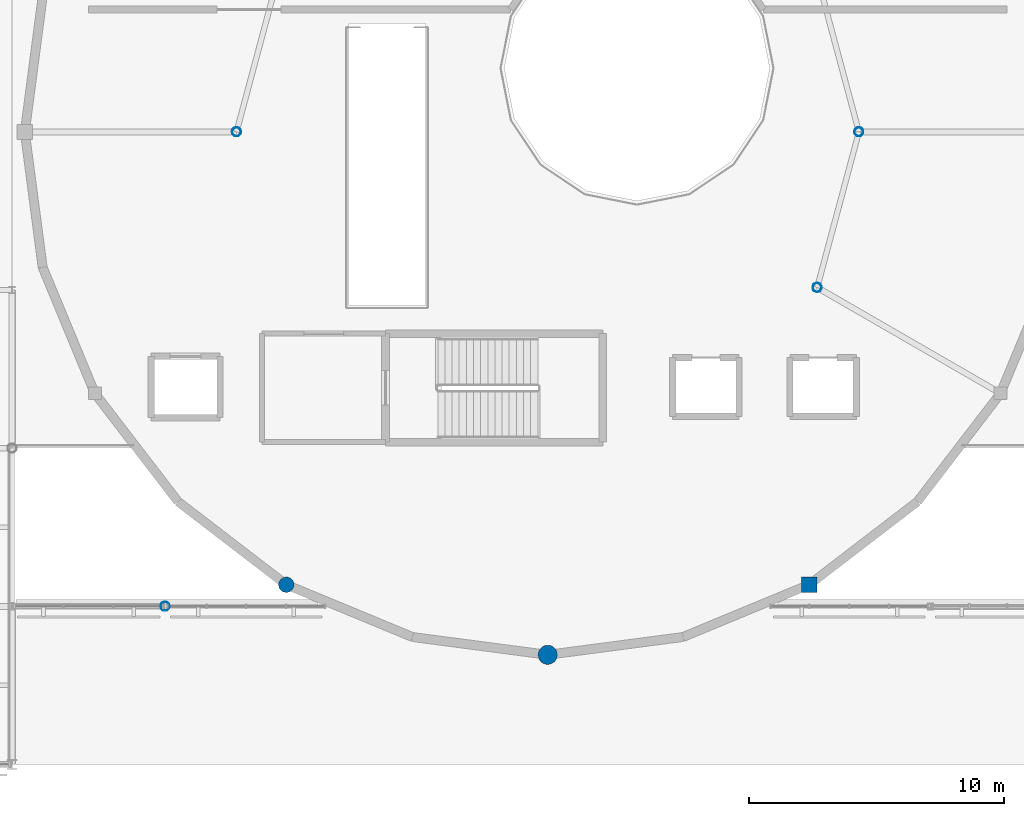
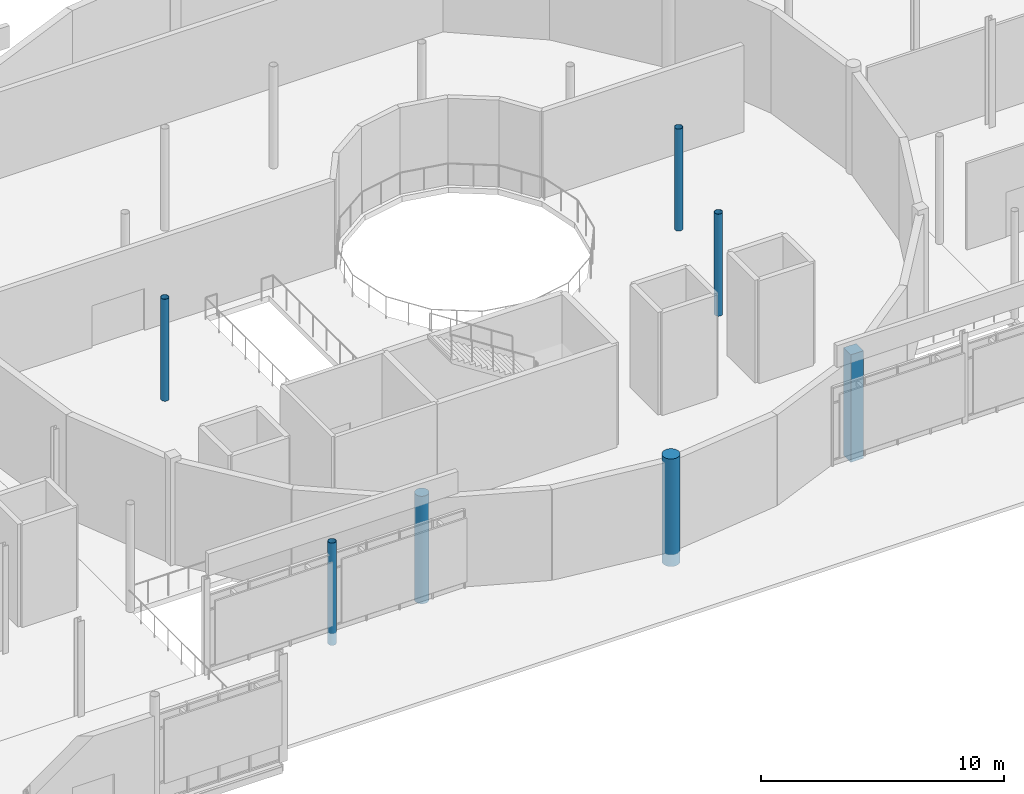
# One storey, part 5 of 105: 7 columns.
"""IFC4 building model written with IfcOpenShell, lengths in metres."""

from ifc_helpers import new_model, si_unit, direction, frame, origin, origin_2d, place, context, subcontext, project, spatial, rectangle, circle, hollow_circle, extrude, material, material_profile, profile_set, type_object, element, save


model = new_model("IFC4")

# Units and contexts
model_context = context("Model", 3, precision=1e-05, world=origin(), true_north=direction((0.0, 1.0)))
body_context = subcontext(model_context, "Body", "Model", "MODEL_VIEW")
ifc_project = project(units=[si_unit("LENGTHUNIT", "METRE"), si_unit("AREAUNIT", "SQUARE_METRE"), si_unit("VOLUMEUNIT", "CUBIC_METRE"), si_unit("PLANEANGLEUNIT", "RADIAN"), si_unit("MASSUNIT", "GRAM", prefix="KILO")], contexts=[model_context])

# Site, building, storey
site_placement = place(None, origin())
site = spatial("IfcSite", under=ifc_project, at=site_placement, CompositionType="ELEMENT")
building_placement = place(site_placement, origin())
building = spatial("IfcBuilding", under=site, at=building_placement, Name="Mirzam Square Science Centre", CompositionType="ELEMENT")
storey_placement = place(building_placement, frame((0.0, 0.0, 5.39990234375)))
storey = spatial("IfcBuildingStorey", under=building, at=storey_placement, Name="L01", CompositionType="ELEMENT", Elevation=5.39990234375)

# Columns
ifc_material_1 = material(Name="Steel S355", Category="steel")
ifc_material_profile_1 = material_profile(ifc_material_1, hollow_circle(Radius=0.177734375, WallThickness=0.012451171875, at=origin_2d()), Name="355.6x12.5CHS")
ifc_profile_set_1 = profile_set([ifc_material_profile_1], Name="Steel S355")
column_type_1 = type_object("IfcColumnType", Name="COL-CHS355", PredefinedType="COLUMN", material=ifc_profile_set_1)
column_1_placement = place(storey_placement, frame((66.0, 43.39990234375, 0.0), z_axis=(0.0, 0.0, 1.0), x_axis=(1.0, 0.0, 0.0)))
element("IfcColumn", 1, at=column_1_placement, inside=storey, type_object=column_type_1, Name="L01 column G12-08", PredefinedType="COLUMN", context=body_context, shape_type="SweptSolid", body=[
    extrude(hollow_circle(Radius=0.177734375, WallThickness=0.012451171875, at=origin_2d()), origin(), (0.0, 0.0, 1.0), 5.135009765625),
])
for number, where, z_axis, x_axis, name in (
    (2, (93.199951171875, 62.0, 0.0), (0.0, 0.0, 1.0), (1.0, 0.0, 0.0), "L01 inner drum column 01"),
    (3, (68.800048828125, 62.0, 0.0), (0.0, 0.0, 1.0), (1.0, 0.0, 0.0), "L01 inner drum column 07"),
    (4, (91.5654296875, 55.89990234375, 0.0), (0.0, 0.0, 1.0), (1.0, 0.0, 0.0), "L01 inner drum column 12"),
):
    element("IfcColumn", number, at=place(storey_placement, frame(where, z_axis=z_axis, x_axis=x_axis)), inside=storey, type_object=column_type_1, Name=name, PredefinedType="COLUMN", context=body_context, shape_type="SweptSolid", body=[
        extrude(hollow_circle(Radius=0.177734375, WallThickness=0.012451171875, at=origin_2d()), origin(), (0.0, 0.0, 1.0), 5.1201171875),
    ])
ifc_material_2 = material(Name="Concrete C45/55", Category="concrete")
ifc_material_profile_2 = material_profile(ifc_material_2, rectangle(XDim=0.60009765625, YDim=0.60009765625, at=origin_2d()), Name="RC600x600")
ifc_profile_set_2 = profile_set([ifc_material_profile_2], Name="Concrete C45/55")
column_type_2 = type_object("IfcColumnType", Name="PIL-RC600", PredefinedType="PILASTER", material=ifc_profile_set_2)
column_2_placement = place(storey_placement, frame((91.25, 44.24658203125, 0.0), z_axis=(0.0, 0.0, 1.0), x_axis=(1.0, 0.0, 0.0)))
element("IfcColumn", 5, at=column_2_placement, inside=storey, type_object=column_type_2, Name="L01 drum pilaster 21", PredefinedType="PILASTER", context=body_context, shape_type="SweptSolid", body=[
    extrude(rectangle(XDim=0.60009765625, YDim=0.60009765625, at=origin_2d()), origin(), (0.0, 0.0, 1.0), 5.400146484375),
])
ifc_material_profile_3 = material_profile(ifc_material_2, circle(Radius=0.300048828125, at=origin_2d()), Name="RCD600")
ifc_profile_set_3 = profile_set([ifc_material_profile_3], Name="Concrete C45/55")
column_type_3 = type_object("IfcColumnType", Name="PIL-RCD600", PredefinedType="PILASTER", material=ifc_profile_set_3)
column_3_placement = place(storey_placement, frame((70.75, 44.24658203125, 0.0), z_axis=(0.0, 0.0, 1.0), x_axis=(1.0, 0.0, 0.0)))
element("IfcColumn", 6, at=column_3_placement, inside=storey, type_object=column_type_3, Name="L01 drum pilaster 17", PredefinedType="PILASTER", context=body_context, shape_type="SweptSolid", body=[
    extrude(circle(Radius=0.300048828125, at=origin_2d()), origin(), (0.0, 0.0, 1.0), 5.400146484375),
])
ifc_material_profile_4 = material_profile(ifc_material_2, circle(Radius=0.375, at=origin_2d()), Name="RCD750")
ifc_profile_set_4 = profile_set([ifc_material_profile_4], Name="Concrete C45/55")
column_type_4 = type_object("IfcColumnType", Name="PIL-RCD750", PredefinedType="PILASTER", material=ifc_profile_set_4)
column_4_placement = place(storey_placement, frame((81.0, 41.5, 0.0), z_axis=(0.0, 0.0, 1.0), x_axis=(1.0, 0.0, 0.0)))
element("IfcColumn", 7, at=column_4_placement, inside=storey, type_object=column_type_4, Name="L01 drum pilaster 19", PredefinedType="PILASTER", context=body_context, shape_type="SweptSolid", body=[
    extrude(circle(Radius=0.375, at=origin_2d()), origin(), (0.0, 0.0, 1.0), 5.400146484375),
])

save(model, "model.ifc")
